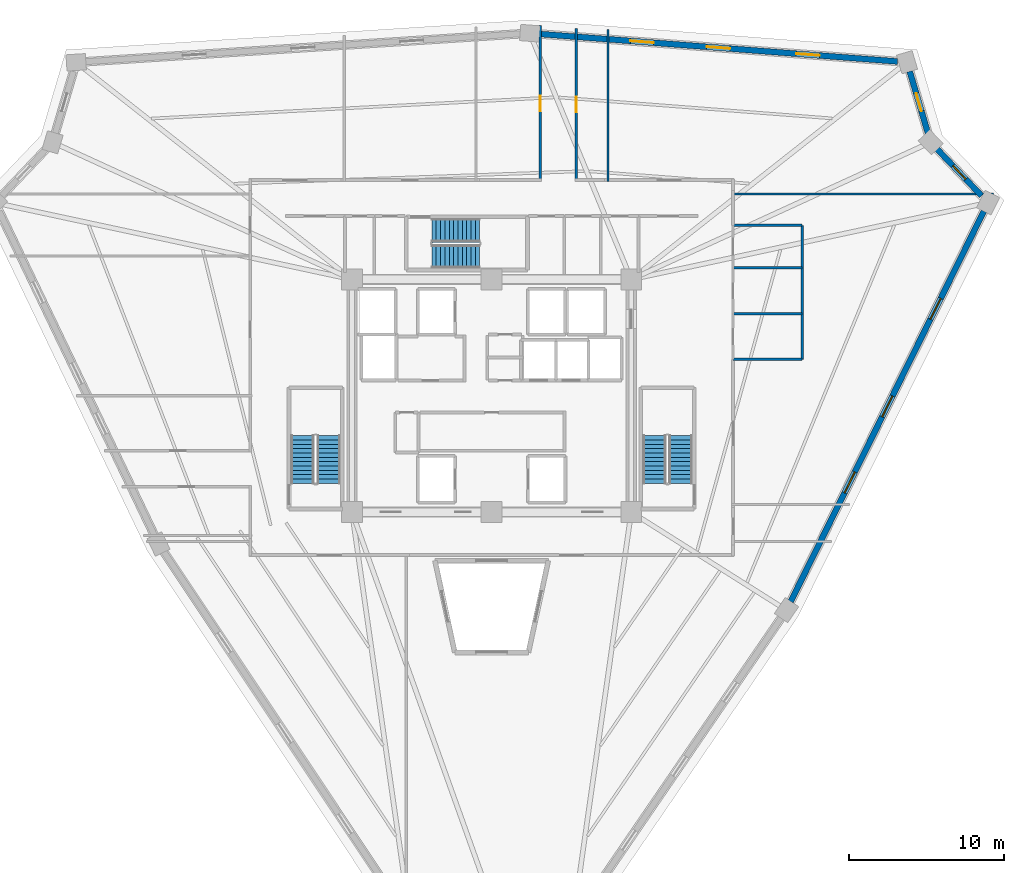
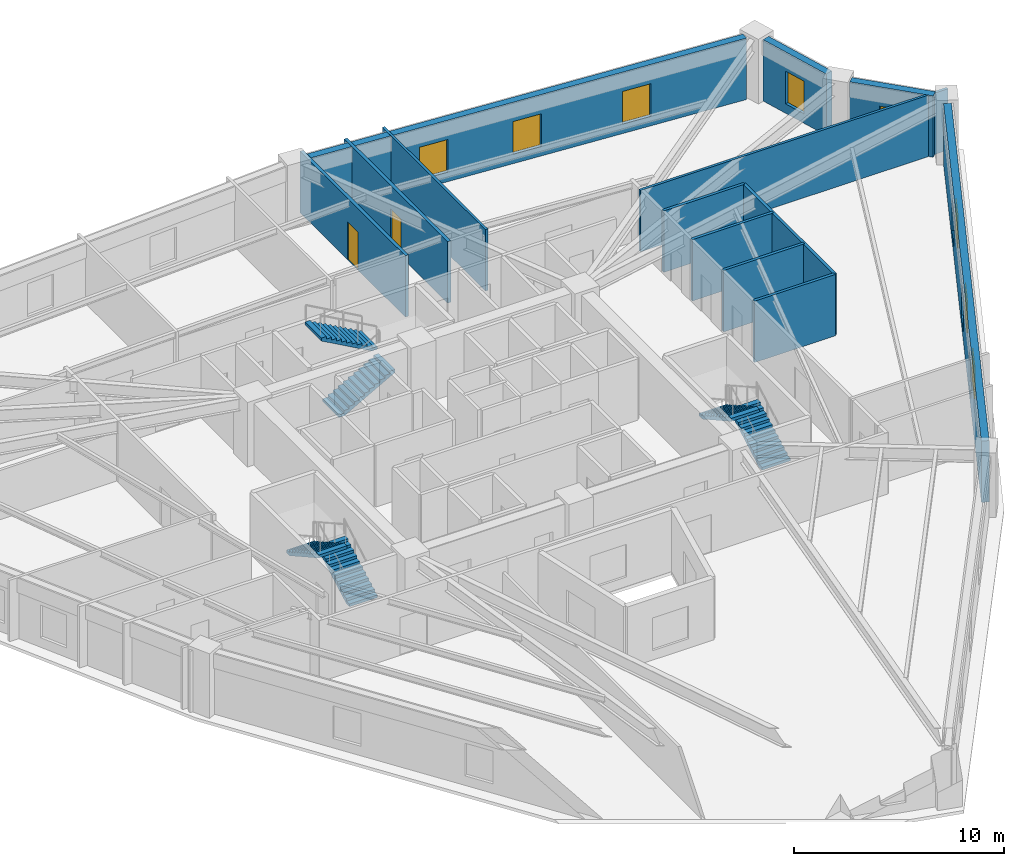
# One storey, part 7 of 8: 13 walls, 8 windows, 6 stair flights, 2 doors, 10 openings, 3 elements without a shape of their own.
"""IFC4 building model written with IfcOpenShell, lengths in metres."""

from ifc_helpers import new_model, si_unit, direction, frame, frame_2d, origin, place, context, subcontext, project, spatial, polyline, rectangle, outline, extrude, source, transform, mapped, material, layer, layer_set, type_object, element, fill, aggregate, save


model = new_model("IFC4")

# Units and contexts
model_context = context("Model", 3, precision=1e-05, world=origin(), true_north=direction((0.0, 1.0)))
body_context = subcontext(model_context, "Body", "Model", "MODEL_VIEW")
ifc_project = project(units=[si_unit("LENGTHUNIT", "METRE"), si_unit("AREAUNIT", "SQUARE_METRE"), si_unit("VOLUMEUNIT", "CUBIC_METRE"), si_unit("PLANEANGLEUNIT", "RADIAN"), si_unit("MASSUNIT", "GRAM", prefix="KILO")], contexts=[model_context])

# Site, building, storey
site_placement = place(None, origin())
site = spatial("IfcSite", under=ifc_project, at=site_placement, CompositionType="ELEMENT")
building_placement = place(site_placement, origin())
building = spatial("IfcBuilding", under=site, at=building_placement, Name="Liaohun Quay Tower", CompositionType="ELEMENT")
storey_placement = place(building_placement, frame((0.0, 0.0, 251.25)))
storey = spatial("IfcBuildingStorey", under=building, at=storey_placement, Name="L65", CompositionType="ELEMENT", Elevation=251.25)

# Wall, openings, windows
ifc_material_1 = material(Name="Precast concrete C50 insulated sandwich", Category="concrete")
ifc_layer_1 = layer(ifc_material_1, 0.3798828125, Name="Precast concrete C50 insulated sandwich", Category="concrete")
ifc_layer_set_1 = layer_set([ifc_layer_1], Name="Precast concrete C50 insulated sandwich")
wall_type_1 = type_object("IfcWallType", Name="WAL-EXT-Z34", PredefinedType="SOLIDWALL", material=ifc_layer_set_1)
wall_1_placement = place(storey_placement, frame((79.281005859375, 40.73291015625, 0.0), z_axis=(0.0, 0.0, 1.0), x_axis=(0.44350165784, 0.896273551709, 0.0)))
wall_1 = element("IfcWall", 1, at=wall_1_placement, inside=storey, type_object=wall_type_1, Name="L65 Brutalist Precast Pier Wall 03", PredefinedType="SOLIDWALL", context=body_context, shape_type="SweptSolid", body=[
    extrude(rectangle(XDim=28.07421875, YDim=0.3798828125, at=frame_2d((14.037109375, 0.0))), origin(), (0.0, 0.0, 1.0), 3.570068359375),
])
shared_shape_1 = source(origin(), body_context, "Body", "SweptSolid", [
    extrude(rectangle(XDim=1.5, YDim=1.89990234375, at=frame_2d((0.75, 0.949951171875))), frame((0.0, 0.199951171875, 0.0), z_axis=(0.0, -1.0, 0.0), x_axis=(1.0, 0.0, 0.0)), (0.0, 0.0, 1.0), 0.39990234375),
])
opening_1_placement = place(wall_1_placement, frame((7.819091796875, 0.0, 0.550048828125)))
opening_1 = element("IfcOpeningElement", 2, at=opening_1_placement, cuts=wall_1, Name="Opening W03", PredefinedType="OPENING", context=body_context, shape_type="MappedRepresentation", body=[
    mapped(shared_shape_1, transform((0.0, 0.0, 0.0), x_axis=(1.0, 0.0, 0.0), y_axis=(0.0, 1.0, 0.0), z_axis=(0.0, 0.0, 1.0), scale=1.0)),
])
opening_2_placement = place(wall_1_placement, frame((13.287109375, 0.0, 0.550048828125)))
opening_2 = element("IfcOpeningElement", 3, at=opening_2_placement, cuts=wall_1, Name="Opening W03", PredefinedType="OPENING", context=body_context, shape_type="MappedRepresentation", body=[
    mapped(shared_shape_1, transform((0.0, 0.0, 0.0), x_axis=(1.0, 0.0, 0.0), y_axis=(0.0, 1.0, 0.0), z_axis=(0.0, 0.0, 1.0), scale=1.0)),
])
opening_3_placement = place(wall_1_placement, frame((20.305908203125, 0.0, 0.550048828125)))
opening_3 = element("IfcOpeningElement", 4, at=opening_3_placement, cuts=wall_1, Name="Opening W03", PredefinedType="OPENING", context=body_context, shape_type="MappedRepresentation", body=[
    mapped(shared_shape_1, transform((0.0, 0.0, 0.0), x_axis=(1.0, 0.0, 0.0), y_axis=(0.0, 1.0, 0.0), z_axis=(0.0, 0.0, 1.0), scale=1.0)),
])
ifc_material_2 = material(Name="Triple Low-E argon glazing in thermally broken aluminium", Category="aluminium")
window_type_1 = type_object("IfcWindowType", Name="WIN-PUN-Z3", PartitioningType="DOUBLE_PANEL_VERTICAL", PredefinedType="WINDOW", material=ifc_material_2)
shared_shape_2 = source(origin(), body_context, "Body", "SweptSolid", [
    extrude(rectangle(XDim=1.5, YDim=1.89990234375, at=frame_2d((0.75, 0.949951171875))), frame((0.0, 0.030029296875, 0.0), z_axis=(0.0, -1.0, 0.0), x_axis=(1.0, 0.0, 0.0)), (0.0, 0.0, 1.0), 0.06005859375),
])
window_1_placement = place(opening_1_placement, origin())
window_1 = element("IfcWindow", 5, at=window_1_placement, inside=storey, type_object=window_type_1, Name="L65 Recessed Cold-Climate Punched Window 03-1", OverallHeight=1.89990234375, OverallWidth=1.5, PartitioningType="DOUBLE_PANEL_VERTICAL", PredefinedType="WINDOW", context=body_context, shape_type="MappedRepresentation", body=[
    mapped(shared_shape_2, transform((0.0, 0.0, 0.0), x_axis=(1.0, 0.0, 0.0), y_axis=(0.0, 1.0, 0.0), z_axis=(0.0, 0.0, 1.0), scale=1.0)),
])
fill(opening_1, window_1)
window_2_placement = place(opening_2_placement, origin())
window_2 = element("IfcWindow", 6, at=window_2_placement, inside=storey, type_object=window_type_1, Name="L65 Recessed Cold-Climate Punched Window 03-2", OverallHeight=1.89990234375, OverallWidth=1.5, PartitioningType="DOUBLE_PANEL_VERTICAL", PredefinedType="WINDOW", context=body_context, shape_type="MappedRepresentation", body=[
    mapped(shared_shape_2, transform((0.0, 0.0, 0.0), x_axis=(1.0, 0.0, 0.0), y_axis=(0.0, 1.0, 0.0), z_axis=(0.0, 0.0, 1.0), scale=1.0)),
])
fill(opening_2, window_2)
window_3_placement = place(opening_3_placement, origin())
window_3 = element("IfcWindow", 7, at=window_3_placement, inside=storey, type_object=window_type_1, Name="L65 Recessed Cold-Climate Punched Window 03-3", OverallHeight=1.89990234375, OverallWidth=1.5, PartitioningType="DOUBLE_PANEL_VERTICAL", PredefinedType="WINDOW", context=body_context, shape_type="MappedRepresentation", body=[
    mapped(shared_shape_2, transform((0.0, 0.0, 0.0), x_axis=(1.0, 0.0, 0.0), y_axis=(0.0, 1.0, 0.0), z_axis=(0.0, 0.0, 1.0), scale=1.0)),
])
fill(opening_3, window_3)

# Wall, opening, window
wall_2_placement = place(storey_placement, frame((91.5810546875, 66.89208984375, 0.0), z_axis=(0.0, 0.0, 1.0), x_axis=(-0.689387303183, 0.724392950139, 0.0)))
wall_2 = element("IfcWall", 8, at=wall_2_placement, inside=storey, type_object=wall_type_1, Name="L65 Brutalist Precast Pier Wall 04", PredefinedType="SOLIDWALL", context=body_context, shape_type="SweptSolid", body=[
    extrude(rectangle(XDim=4.142822265625, YDim=0.3798828125, at=frame_2d((2.0712890625, 0.0))), origin(), (0.0, 0.0, 1.0), 3.570068359375),
])
shared_shape_3 = source(origin(), body_context, "Body", "SweptSolid", [
    extrude(rectangle(XDim=1.199951171875, YDim=1.89990234375, at=frame_2d((0.60009765625, 0.949951171875))), frame((0.0, 0.199951171875, 0.0), z_axis=(0.0, -1.0, 0.0), x_axis=(1.0, 0.0, 0.0)), (0.0, 0.0, 1.0), 0.39990234375),
])
opening_4_placement = place(wall_2_placement, frame((1.470947265625, 0.0, 0.550048828125)))
opening_4 = element("IfcOpeningElement", 9, at=opening_4_placement, cuts=wall_2, Name="Opening W05", PredefinedType="OPENING", context=body_context, shape_type="MappedRepresentation", body=[
    mapped(shared_shape_3, transform((0.0, 0.0, 0.0), x_axis=(1.0, 0.0, 0.0), y_axis=(0.0, 1.0, 0.0), z_axis=(0.0, 0.0, 1.0), scale=1.0)),
])
ifc_material_3 = material(Name="Triple Low-E corner notch glazing", Category="glass")
window_type_2 = type_object("IfcWindowType", Name="WIN-NOTCH", PartitioningType="SINGLE_PANEL", PredefinedType="WINDOW", material=ifc_material_3)
shared_shape_4 = source(origin(), body_context, "Body", "SweptSolid", [
    extrude(rectangle(XDim=1.199951171875, YDim=1.89990234375, at=frame_2d((0.60009765625, 0.949951171875))), frame((0.0, 0.030029296875, 0.0), z_axis=(0.0, -1.0, 0.0), x_axis=(1.0, 0.0, 0.0)), (0.0, 0.0, 1.0), 0.06005859375),
])
window_4_placement = place(opening_4_placement, origin())
window_4 = element("IfcWindow", 10, at=window_4_placement, inside=storey, type_object=window_type_2, Name="L65 Corner Notch Window W05-04", OverallHeight=1.89990234375, OverallWidth=1.199951171875, PartitioningType="SINGLE_PANEL", PredefinedType="WINDOW", context=body_context, shape_type="MappedRepresentation", body=[
    mapped(shared_shape_4, transform((0.0, 0.0, 0.0), x_axis=(1.0, 0.0, 0.0), y_axis=(0.0, 1.0, 0.0), z_axis=(0.0, 0.0, 1.0), scale=1.0)),
])
fill(opening_4, window_4)

wall_3_placement = place(storey_placement, frame((88.126953125, 70.928955078125, 0.0), z_axis=(0.0, 0.0, 1.0), x_axis=(-0.283028996967, 0.959111352699, 0.0)))
wall_3 = element("IfcWall", 11, at=wall_3_placement, inside=storey, type_object=wall_type_1, Name="L65 Brutalist Precast Pier Wall 05", PredefinedType="SOLIDWALL", context=body_context, shape_type="SweptSolid", body=[
    extrude(rectangle(XDim=4.151611328125, YDim=0.3798828125, at=frame_2d((2.07568359375, 0.0))), origin(), (0.0, 0.0, 1.0), 3.570068359375),
])
opening_5_placement = place(wall_3_placement, frame((1.47607421875, 0.0, 0.550048828125)))
opening_5 = element("IfcOpeningElement", 12, at=opening_5_placement, cuts=wall_3, Name="Opening W05", PredefinedType="OPENING", context=body_context, shape_type="MappedRepresentation", body=[
    mapped(shared_shape_3, transform((0.0, 0.0, 0.0), x_axis=(1.0, 0.0, 0.0), y_axis=(0.0, 1.0, 0.0), z_axis=(0.0, 0.0, 1.0), scale=1.0)),
])
window_5_placement = place(opening_5_placement, origin())
window_5 = element("IfcWindow", 13, at=window_5_placement, inside=storey, type_object=window_type_2, Name="L65 Corner Notch Window W05-05", OverallHeight=1.89990234375, OverallWidth=1.199951171875, PartitioningType="SINGLE_PANEL", PredefinedType="WINDOW", context=body_context, shape_type="MappedRepresentation", body=[
    mapped(shared_shape_4, transform((0.0, 0.0, 0.0), x_axis=(1.0, 0.0, 0.0), y_axis=(0.0, 1.0, 0.0), z_axis=(0.0, 0.0, 1.0), scale=1.0)),
])
fill(opening_5, window_5)

# Wall, openings, windows
wall_4_placement = place(storey_placement, frame((86.1650390625, 75.548095703125, 0.0), z_axis=(0.0, 0.0, 1.0), x_axis=(-0.997058143471, 0.076648930443, 0.0)))
wall_4 = element("IfcWall", 14, at=wall_4_placement, inside=storey, type_object=wall_type_1, Name="L65 Brutalist Precast Pier Wall 06", PredefinedType="SOLIDWALL", context=body_context, shape_type="SweptSolid", body=[
    extrude(rectangle(XDim=23.15625, YDim=0.3798828125, at=frame_2d((11.578125, 0.0))), origin(), (0.0, 0.0, 1.0), 3.570068359375),
])
opening_6_placement = place(wall_4_placement, frame((5.0390625, 0.0, 0.550048828125)))
opening_6 = element("IfcOpeningElement", 15, at=opening_6_placement, cuts=wall_4, Name="Opening W03", PredefinedType="OPENING", context=body_context, shape_type="MappedRepresentation", body=[
    mapped(shared_shape_1, transform((0.0, 0.0, 0.0), x_axis=(1.0, 0.0, 0.0), y_axis=(0.0, 1.0, 0.0), z_axis=(0.0, 0.0, 1.0), scale=1.0)),
])
opening_7_placement = place(wall_4_placement, frame((10.827880859375, 0.0, 0.550048828125)))
opening_7 = element("IfcOpeningElement", 16, at=opening_7_placement, cuts=wall_4, Name="Opening W03", PredefinedType="OPENING", context=body_context, shape_type="MappedRepresentation", body=[
    mapped(shared_shape_1, transform((0.0, 0.0, 0.0), x_axis=(1.0, 0.0, 0.0), y_axis=(0.0, 1.0, 0.0), z_axis=(0.0, 0.0, 1.0), scale=1.0)),
])
opening_8_placement = place(wall_4_placement, frame((15.76708984375, 0.0, 0.550048828125)))
opening_8 = element("IfcOpeningElement", 17, at=opening_8_placement, cuts=wall_4, Name="Opening W03", PredefinedType="OPENING", context=body_context, shape_type="MappedRepresentation", body=[
    mapped(shared_shape_1, transform((0.0, 0.0, 0.0), x_axis=(1.0, 0.0, 0.0), y_axis=(0.0, 1.0, 0.0), z_axis=(0.0, 0.0, 1.0), scale=1.0)),
])
window_6_placement = place(opening_6_placement, origin())
window_6 = element("IfcWindow", 18, at=window_6_placement, inside=storey, type_object=window_type_1, Name="L65 Recessed Cold-Climate Punched Window 06-1", OverallHeight=1.89990234375, OverallWidth=1.5, PartitioningType="DOUBLE_PANEL_VERTICAL", PredefinedType="WINDOW", context=body_context, shape_type="MappedRepresentation", body=[
    mapped(shared_shape_2, transform((0.0, 0.0, 0.0), x_axis=(1.0, 0.0, 0.0), y_axis=(0.0, 1.0, 0.0), z_axis=(0.0, 0.0, 1.0), scale=1.0)),
])
fill(opening_6, window_6)
window_7_placement = place(opening_7_placement, origin())
window_7 = element("IfcWindow", 19, at=window_7_placement, inside=storey, type_object=window_type_1, Name="L65 Recessed Cold-Climate Punched Window 06-2", OverallHeight=1.89990234375, OverallWidth=1.5, PartitioningType="DOUBLE_PANEL_VERTICAL", PredefinedType="WINDOW", context=body_context, shape_type="MappedRepresentation", body=[
    mapped(shared_shape_2, transform((0.0, 0.0, 0.0), x_axis=(1.0, 0.0, 0.0), y_axis=(0.0, 1.0, 0.0), z_axis=(0.0, 0.0, 1.0), scale=1.0)),
])
fill(opening_7, window_7)
window_8_placement = place(opening_8_placement, origin())
window_8 = element("IfcWindow", 20, at=window_8_placement, inside=storey, type_object=window_type_1, Name="L65 Recessed Cold-Climate Punched Window 06-3", OverallHeight=1.89990234375, OverallWidth=1.5, PartitioningType="DOUBLE_PANEL_VERTICAL", PredefinedType="WINDOW", context=body_context, shape_type="MappedRepresentation", body=[
    mapped(shared_shape_2, transform((0.0, 0.0, 0.0), x_axis=(1.0, 0.0, 0.0), y_axis=(0.0, 1.0, 0.0), z_axis=(0.0, 0.0, 1.0), scale=1.0)),
])
fill(opening_8, window_8)

# Wall, opening, door
ifc_material_4 = material(Name="Autoclaved aerated concrete blockwork", Category="masonry")
ifc_layer_2 = layer(ifc_material_4, 0.179931640625, Name="Autoclaved aerated concrete blockwork", Category="masonry")
ifc_layer_set_2 = layer_set([ifc_layer_2], Name="Autoclaved aerated concrete blockwork")
wall_type_2 = type_object("IfcWallType", Name="WAL-PRT-COR", PredefinedType="PARTITIONING", material=ifc_layer_set_2)
wall_5_placement = place(storey_placement, frame((65.4599609375, 77.680908203125, 0.0), z_axis=(0.0, 0.0, 1.0), x_axis=(0.0, -1.0, 0.0)))
wall_5 = element("IfcWall", 21, at=wall_5_placement, inside=storey, type_object=wall_type_2, Name="L65 Interior Partition Wall 018", PredefinedType="PARTITIONING", context=body_context, shape_type="SweptSolid", body=[
    extrude(rectangle(XDim=9.8408203125, YDim=0.179931640625, at=frame_2d((4.92041015625, 0.0))), origin(), (0.0, 0.0, 1.0), 3.570068359375),
])
shared_shape_5 = source(origin(), body_context, "Body", "SweptSolid", [
    extrude(rectangle(XDim=1.0, YDim=2.199951171875, at=frame_2d((0.5, 1.10009765625))), frame((0.0, 0.099853515625, 0.0), z_axis=(0.0, -1.0, 0.0), x_axis=(1.0, 0.0, 0.0)), (0.0, 0.0, 1.0), 0.199951171875),
])
opening_9_placement = place(wall_5_placement, frame((4.419921875, 0.0, 0.0)))
opening_9 = element("IfcOpeningElement", 22, at=opening_9_placement, cuts=wall_5, Name="Opening OD1", PredefinedType="OPENING", context=body_context, shape_type="MappedRepresentation", body=[
    mapped(shared_shape_5, transform((0.0, 0.0, 0.0), x_axis=(1.0, 0.0, 0.0), y_axis=(0.0, 1.0, 0.0), z_axis=(0.0, 0.0, 1.0), scale=1.0)),
])
ifc_material_5 = material(Name="Solid-core oak veneer timber leaf in steel frame", Category="steel")
door_type = type_object("IfcDoorType", Name="DOR-OFF-1000", OperationType="NOTDEFINED", PredefinedType="DOOR", material=ifc_material_5)
shared_shape_6 = source(origin(), body_context, "Body", "SweptSolid", [
    extrude(rectangle(XDim=1.0, YDim=2.199951171875, at=frame_2d((0.5, 1.10009765625))), frame((0.0, 0.02490234375, 0.0), z_axis=(0.0, -1.0, 0.0), x_axis=(1.0, 0.0, 0.0)), (0.0, 0.0, 1.0), 0.050048828125),
])
door_1_placement = place(opening_9_placement, origin())
door_1 = element("IfcDoor", 23, at=door_1_placement, inside=storey, type_object=door_type, Name="L65 Digital Prototyping Laboratory 03 Door", OperationType="SINGLE_SWING_RIGHT", OverallHeight=2.199951171875, OverallWidth=1.0, PredefinedType="DOOR", context=body_context, shape_type="MappedRepresentation", body=[
    mapped(shared_shape_6, transform((0.0, 0.0, 0.0), x_axis=(1.0, 0.0, 0.0), y_axis=(0.0, 1.0, 0.0), z_axis=(0.0, 0.0, 1.0), scale=1.0)),
])
fill(opening_9, door_1)

wall_6_placement = place(storey_placement, frame((63.139892578125, 67.840087890625, 0.0), z_axis=(0.0, 0.0, 1.0), x_axis=(0.0, 1.0, 0.0)))
wall_6 = element("IfcWall", 24, at=wall_6_placement, inside=storey, type_object=wall_type_2, Name="L65 Interior Partition Wall 019", PredefinedType="PARTITIONING", context=body_context, shape_type="SweptSolid", body=[
    extrude(rectangle(XDim=10.018798828125, YDim=0.179931640625, at=frame_2d((5.00927734375, 0.0))), origin(), (0.0, 0.0, 1.0), 3.570068359375),
])
opening_10_placement = place(wall_6_placement, frame((4.509033203125, 0.0, 0.0)))
opening_10 = element("IfcOpeningElement", 25, at=opening_10_placement, cuts=wall_6, Name="Opening OD1", PredefinedType="OPENING", context=body_context, shape_type="MappedRepresentation", body=[
    mapped(shared_shape_5, transform((0.0, 0.0, 0.0), x_axis=(1.0, 0.0, 0.0), y_axis=(0.0, 1.0, 0.0), z_axis=(0.0, 0.0, 1.0), scale=1.0)),
])
door_2_placement = place(opening_10_placement, origin())
door_2 = element("IfcDoor", 26, at=door_2_placement, inside=storey, type_object=door_type, Name="L65 Project Collaboration Studio 04 Door", OperationType="SINGLE_SWING_LEFT", OverallHeight=2.199951171875, OverallWidth=1.0, PredefinedType="DOOR", context=body_context, shape_type="MappedRepresentation", body=[
    mapped(shared_shape_6, transform((0.0, 0.0, 0.0), x_axis=(1.0, 0.0, 0.0), y_axis=(0.0, 1.0, 0.0), z_axis=(0.0, 0.0, 1.0), scale=1.0)),
])
fill(opening_10, door_2)

# Walls
ifc_material_6 = material(Name="Gypsum board on twin steel studs", Category="steel")
ifc_layer_3 = layer(ifc_material_6, 0.139892578125, Name="Gypsum board on twin steel studs", Category="steel")
ifc_layer_set_3 = layer_set([ifc_layer_3], Name="Gypsum board on twin steel studs")
wall_type_3 = type_object("IfcWallType", Name="WAL-PRT-OFF", PredefinedType="PARTITIONING", material=ifc_layer_set_3)
wall_7_placement = place(storey_placement, frame((75.4599609375, 67.0, 0.0), z_axis=(0.0, 0.0, 1.0), x_axis=(1.0, 0.0, 0.0)))
element("IfcWall", 27, at=wall_7_placement, inside=storey, type_object=wall_type_3, Name="L65 Interior Partition Wall 061", PredefinedType="PARTITIONING", context=body_context, shape_type="SweptSolid", body=[
    extrude(rectangle(XDim=16.887939453125, YDim=0.139892578125, at=frame_2d((8.44384765625, 0.0))), origin(), (0.0, 0.0, 1.0), 3.570068359375),
])
wall_8_placement = place(storey_placement, frame((67.5, 67.81005859375, 0.0), z_axis=(0.0, 0.0, 1.0), x_axis=(0.0, 1.0, 0.0)))
element("IfcWall", 28, at=wall_8_placement, inside=storey, type_object=wall_type_3, Name="L65 Interior Partition Wall 064", PredefinedType="PARTITIONING", context=body_context, shape_type="SweptSolid", body=[
    extrude(rectangle(XDim=9.804931640625, YDim=0.139892578125, at=frame_2d((4.90234375, 0.0))), origin(), (0.0, 0.0, 1.0), 3.570068359375),
])
ifc_material_7 = material(Name="Moisture-resistant masonry blockwork", Category="masonry")
ifc_layer_4 = layer(ifc_material_7, 0.159912109375, Name="Moisture-resistant masonry blockwork", Category="masonry")
ifc_layer_set_4 = layer_set([ifc_layer_4], Name="Moisture-resistant masonry blockwork")
wall_type_4 = type_object("IfcWallType", Name="WAL-PRT-WET", PredefinedType="PARTITIONING", material=ifc_layer_set_4)
wall_9_placement = place(storey_placement, frame((80.02001953125, 56.340087890625, 0.0), z_axis=(0.0, 0.0, 1.0), x_axis=(0.0, 1.0, 0.0)))
element("IfcWall", 29, at=wall_9_placement, inside=storey, type_object=wall_type_4, Name="L65 Interior Partition Wall 035", PredefinedType="PARTITIONING", context=body_context, shape_type="SweptSolid", body=[
    extrude(rectangle(XDim=8.639892578125, YDim=0.159912109375, at=frame_2d((4.31982421875, 0.0))), origin(), (0.0, 0.0, 1.0), 3.570068359375),
])
for number, where, z_axis, x_axis, name in (
    (30, (75.56005859375, 56.340087890625, 0.0), (0.0, 0.0, 1.0), (1.0, 0.0, 0.0), "L65 Interior Partition Wall 036"),
    (31, (75.56005859375, 59.280029296875, 0.0), (0.0, 0.0, 1.0), (1.0, 0.0, 0.0), "L65 Interior Partition Wall 037"),
    (32, (75.56005859375, 62.239990234375, 0.0), (0.0, 0.0, 1.0), (1.0, 0.0, 0.0), "L65 Interior Partition Wall 038"),
    (33, (75.56005859375, 64.97998046875, 0.0), (0.0, 0.0, 1.0), (1.0, 0.0, 0.0), "L65 Interior Partition Wall 039"),
):
    element("IfcWall", number, at=place(storey_placement, frame(where, z_axis=z_axis, x_axis=x_axis)), inside=storey, type_object=wall_type_4, Name=name, PredefinedType="PARTITIONING", context=body_context, shape_type="SweptSolid", body=[
        extrude(rectangle(XDim=4.4599609375, YDim=0.159912109375, at=frame_2d((2.22998046875, 0.0))), origin(), (0.0, 0.0, 1.0), 3.570068359375),
    ])

# Stair, stair flights
ifc_material_8 = material(Name="Concrete C45", Category="concrete")
stair_type = type_object("IfcStairType", Name="STR-CORE-OFF", PredefinedType="HALF_TURN_STAIR", material=ifc_material_8)
stair_1_placement = place(storey_placement, origin())
stair_1 = element("IfcStair", 34, at=stair_1_placement, inside=storey, type_object=stair_type, Name="L65 Smokeproof Core Exit Stair ST-1", PredefinedType="HALF_TURN_STAIR")
stair_flight_type = type_object("IfcStairFlightType", Name="FLT-CORE-155", PredefinedType="STRAIGHT", material=ifc_material_8)
stair_flight_1_placement = place(storey_placement, frame((49.5048828125, 48.35009765625, 0.0), z_axis=(0.0, 0.0, 1.0), x_axis=(0.0, 1.0, 0.0)))
stair_flight_1 = element("IfcStairFlight", 35, at=stair_flight_1_placement, type_object=stair_flight_type, Name="ST-1 flight 1", NumberOfRisers=12, NumberOfTreads=11, PredefinedType="STRAIGHT", RiserHeight=0.15625, TreadLength=0.28, context=body_context, shape_type="SweptSolid", body=[
    extrude(outline(polyline([(0.0, 0.0), (0.0, 0.15625), (0.280029296875, 0.15625), (0.280029296875, 0.3125), (0.56005859375, 0.3125), (0.56005859375, 0.46875), (0.840087890625, 0.46875), (0.840087890625, 0.625), (1.1201171875, 0.625), (1.1201171875, 0.78125), (1.39990234375, 0.78125), (1.39990234375, 0.9375), (1.679931640625, 0.9375), (1.679931640625, 1.09375), (1.9599609375, 1.09375), (1.9599609375, 1.25), (2.239990234375, 1.25), (2.239990234375, 1.40625), (2.52001953125, 1.40625), (2.52001953125, 1.5625), (2.800048828125, 1.5625), (2.800048828125, 1.71875), (3.080078125, 1.71875), (3.080078125, 1.875), (3.080078125, 1.547119140625), (0.3076171875, 0.0), (0.0, 0.0)])), frame((0.0, 0.77490234375, 0.0), z_axis=(0.0, -1.0, 0.0), x_axis=(1.0, 0.0, 0.0)), (0.0, 0.0, 1.0), 1.550048828125),
])
stair_flight_2_placement = place(storey_placement, frame((47.81494140625, 51.429931640625, 1.875), z_axis=(0.0, 0.0, 1.0), x_axis=(0.0, -1.0, 0.0)))
stair_flight_2 = element("IfcStairFlight", 36, at=stair_flight_2_placement, type_object=stair_flight_type, Name="ST-1 flight 2", NumberOfRisers=12, NumberOfTreads=11, PredefinedType="STRAIGHT", RiserHeight=0.15625, TreadLength=0.28, context=body_context, shape_type="SweptSolid", body=[
    extrude(outline(polyline([(0.0, 0.0), (0.0, 0.15625), (0.280029296875, 0.15625), (0.280029296875, 0.3125), (0.56005859375, 0.3125), (0.56005859375, 0.46875), (0.840087890625, 0.46875), (0.840087890625, 0.625), (1.1201171875, 0.625), (1.1201171875, 0.78125), (1.39990234375, 0.78125), (1.39990234375, 0.9375), (1.679931640625, 0.9375), (1.679931640625, 1.09375), (1.9599609375, 1.09375), (1.9599609375, 1.25), (2.239990234375, 1.25), (2.239990234375, 1.40625), (2.52001953125, 1.40625), (2.52001953125, 1.5625), (2.800048828125, 1.5625), (2.800048828125, 1.71875), (3.080078125, 1.71875), (3.080078125, 1.875), (3.080078125, 1.547119140625), (0.3076171875, 0.0), (0.0, 0.0)])), frame((0.0, 0.77490234375, 0.0), z_axis=(0.0, -1.0, 0.0), x_axis=(1.0, 0.0, 0.0)), (0.0, 0.0, 1.0), 1.550048828125),
])
aggregate(stair_1, [stair_flight_1, stair_flight_2])

stair_2_placement = place(storey_placement, origin())
stair_2 = element("IfcStair", 37, at=stair_2_placement, inside=storey, type_object=stair_type, Name="L65 Smokeproof Core Exit Stair ST-2", PredefinedType="HALF_TURN_STAIR")
stair_flight_3_placement = place(storey_placement, frame((72.18505859375, 48.35009765625, 0.0), z_axis=(0.0, 0.0, 1.0), x_axis=(0.0, 1.0, 0.0)))
stair_flight_3 = element("IfcStairFlight", 38, at=stair_flight_3_placement, type_object=stair_flight_type, Name="ST-2 flight 1", NumberOfRisers=12, NumberOfTreads=11, PredefinedType="STRAIGHT", RiserHeight=0.15625, TreadLength=0.28, context=body_context, shape_type="SweptSolid", body=[
    extrude(outline(polyline([(0.0, 0.0), (0.0, 0.15625), (0.280029296875, 0.15625), (0.280029296875, 0.3125), (0.56005859375, 0.3125), (0.56005859375, 0.46875), (0.840087890625, 0.46875), (0.840087890625, 0.625), (1.1201171875, 0.625), (1.1201171875, 0.78125), (1.39990234375, 0.78125), (1.39990234375, 0.9375), (1.679931640625, 0.9375), (1.679931640625, 1.09375), (1.9599609375, 1.09375), (1.9599609375, 1.25), (2.239990234375, 1.25), (2.239990234375, 1.40625), (2.52001953125, 1.40625), (2.52001953125, 1.5625), (2.800048828125, 1.5625), (2.800048828125, 1.71875), (3.080078125, 1.71875), (3.080078125, 1.875), (3.080078125, 1.547119140625), (0.3076171875, 0.0), (0.0, 0.0)])), frame((0.0, 0.77490234375, 0.0), z_axis=(0.0, -1.0, 0.0), x_axis=(1.0, 0.0, 0.0)), (0.0, 0.0, 1.0), 1.550048828125),
])
stair_flight_4_placement = place(storey_placement, frame((70.4951171875, 51.429931640625, 1.875), z_axis=(0.0, 0.0, 1.0), x_axis=(0.0, -1.0, 0.0)))
stair_flight_4 = element("IfcStairFlight", 39, at=stair_flight_4_placement, type_object=stair_flight_type, Name="ST-2 flight 2", NumberOfRisers=12, NumberOfTreads=11, PredefinedType="STRAIGHT", RiserHeight=0.15625, TreadLength=0.28, context=body_context, shape_type="SweptSolid", body=[
    extrude(outline(polyline([(0.0, 0.0), (0.0, 0.15625), (0.280029296875, 0.15625), (0.280029296875, 0.3125), (0.56005859375, 0.3125), (0.56005859375, 0.46875), (0.840087890625, 0.46875), (0.840087890625, 0.625), (1.1201171875, 0.625), (1.1201171875, 0.78125), (1.39990234375, 0.78125), (1.39990234375, 0.9375), (1.679931640625, 0.9375), (1.679931640625, 1.09375), (1.9599609375, 1.09375), (1.9599609375, 1.25), (2.239990234375, 1.25), (2.239990234375, 1.40625), (2.52001953125, 1.40625), (2.52001953125, 1.5625), (2.800048828125, 1.5625), (2.800048828125, 1.71875), (3.080078125, 1.71875), (3.080078125, 1.875), (3.080078125, 1.547119140625), (0.3076171875, 0.0), (0.0, 0.0)])), frame((0.0, 0.77490234375, 0.0), z_axis=(0.0, -1.0, 0.0), x_axis=(1.0, 0.0, 0.0)), (0.0, 0.0, 1.0), 1.550048828125),
])
aggregate(stair_2, [stair_flight_3, stair_flight_4])

stair_3_placement = place(storey_placement, origin())
stair_3 = element("IfcStair", 40, at=stair_3_placement, inside=storey, type_object=stair_type, Name="L65 Smokeproof Core Exit Stair ST-3", PredefinedType="HALF_TURN_STAIR")
stair_flight_5_placement = place(storey_placement, frame((56.14990234375, 62.97509765625, 0.0), z_axis=(0.0, 0.0, 1.0), x_axis=(1.0, 0.0, 0.0)))
stair_flight_5 = element("IfcStairFlight", 41, at=stair_flight_5_placement, type_object=stair_flight_type, Name="ST-3 flight 1", NumberOfRisers=12, NumberOfTreads=11, PredefinedType="STRAIGHT", RiserHeight=0.15625, TreadLength=0.28, context=body_context, shape_type="SweptSolid", body=[
    extrude(outline(polyline([(0.0, 0.0), (0.0, 0.15625), (0.280029296875, 0.15625), (0.280029296875, 0.3125), (0.56005859375, 0.3125), (0.56005859375, 0.46875), (0.840087890625, 0.46875), (0.840087890625, 0.625), (1.1201171875, 0.625), (1.1201171875, 0.78125), (1.39990234375, 0.78125), (1.39990234375, 0.9375), (1.679931640625, 0.9375), (1.679931640625, 1.09375), (1.9599609375, 1.09375), (1.9599609375, 1.25), (2.239990234375, 1.25), (2.239990234375, 1.40625), (2.52001953125, 1.40625), (2.52001953125, 1.5625), (2.800048828125, 1.5625), (2.800048828125, 1.71875), (3.080078125, 1.71875), (3.080078125, 1.875), (3.080078125, 1.547119140625), (0.3076171875, 0.0), (0.0, 0.0)])), frame((0.0, 0.77490234375, 0.0), z_axis=(0.0, -1.0, 0.0), x_axis=(1.0, 0.0, 0.0)), (0.0, 0.0, 1.0), 1.550048828125),
])
stair_flight_6_placement = place(storey_placement, frame((59.22998046875, 64.6650390625, 1.875), z_axis=(0.0, 0.0, 1.0), x_axis=(-1.0, 0.0, 0.0)))
stair_flight_6 = element("IfcStairFlight", 42, at=stair_flight_6_placement, type_object=stair_flight_type, Name="ST-3 flight 2", NumberOfRisers=12, NumberOfTreads=11, PredefinedType="STRAIGHT", RiserHeight=0.15625, TreadLength=0.28, context=body_context, shape_type="SweptSolid", body=[
    extrude(outline(polyline([(0.0, 0.0), (0.0, 0.15625), (0.280029296875, 0.15625), (0.280029296875, 0.3125), (0.56005859375, 0.3125), (0.56005859375, 0.46875), (0.840087890625, 0.46875), (0.840087890625, 0.625), (1.1201171875, 0.625), (1.1201171875, 0.78125), (1.39990234375, 0.78125), (1.39990234375, 0.9375), (1.679931640625, 0.9375), (1.679931640625, 1.09375), (1.9599609375, 1.09375), (1.9599609375, 1.25), (2.239990234375, 1.25), (2.239990234375, 1.40625), (2.52001953125, 1.40625), (2.52001953125, 1.5625), (2.800048828125, 1.5625), (2.800048828125, 1.71875), (3.080078125, 1.71875), (3.080078125, 1.875), (3.080078125, 1.547119140625), (0.3076171875, 0.0), (0.0, 0.0)])), frame((0.0, 0.77490234375, 0.0), z_axis=(0.0, -1.0, 0.0), x_axis=(1.0, 0.0, 0.0)), (0.0, 0.0, 1.0), 1.550048828125),
])
aggregate(stair_3, [stair_flight_5, stair_flight_6])

save(model, "model.ifc")
